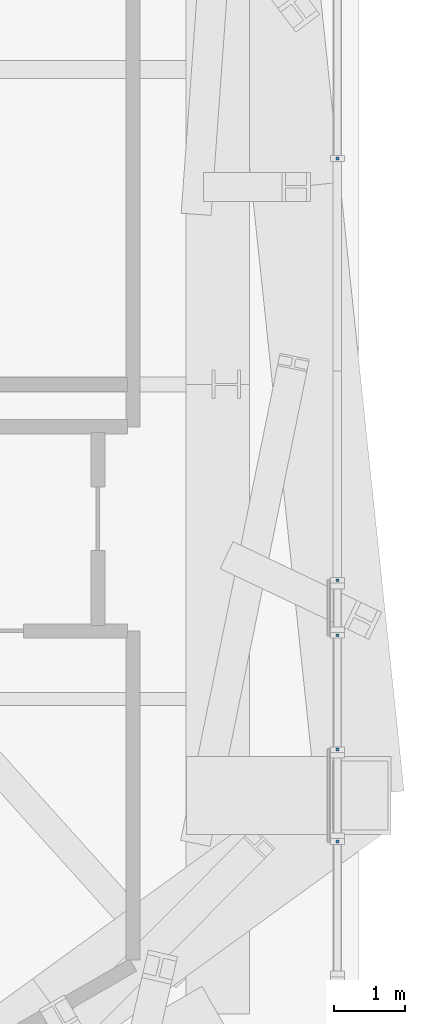
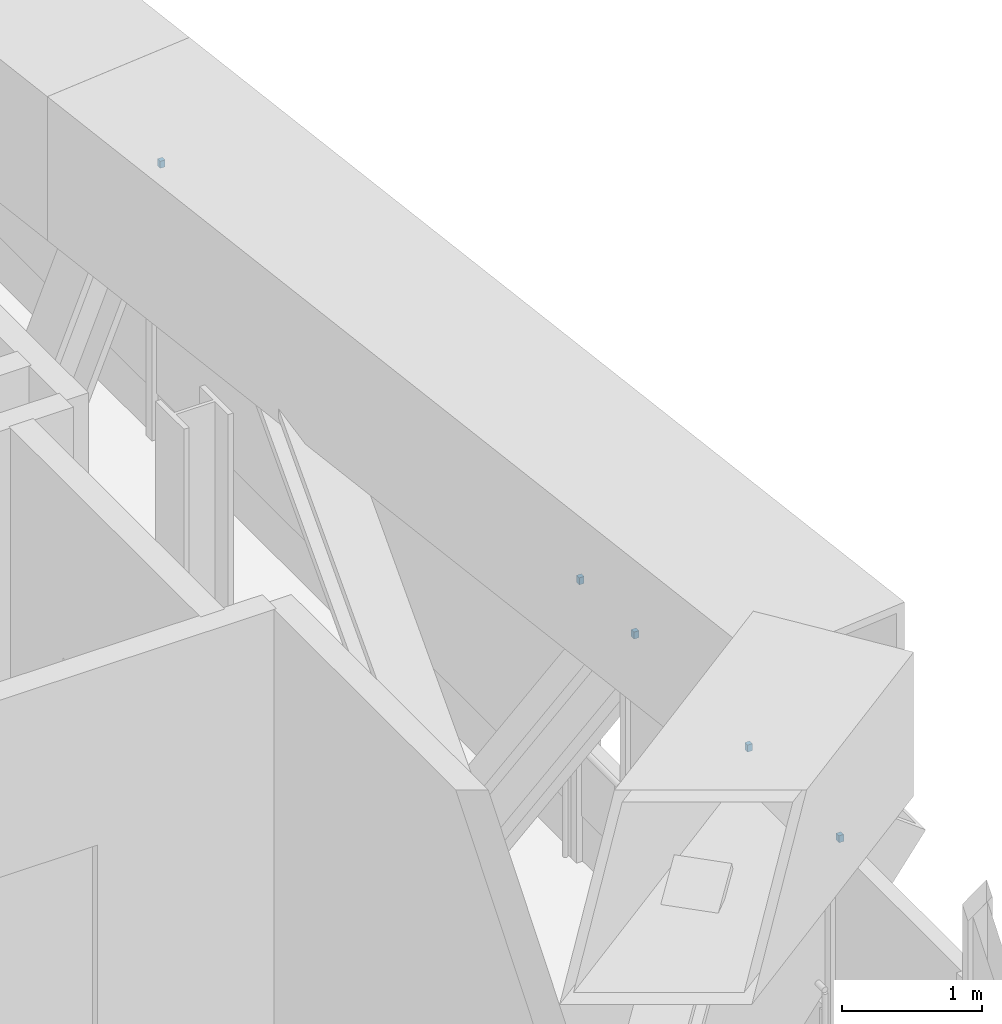
# One storey, part 19 of 23: 5 discrete accessories.
"""IFC4 building model written with IfcOpenShell, lengths in metres."""

import ifcopenshell
import ifcopenshell.guid

model = None  # the IFC model being written
_history = None  # IfcOwnerHistory: only IFC2X3 demands one
_inside = {}  # id of a spatial element -> (the spatial element, [elements in it])
_under = {}  # id of a project, library or spatial element -> (it, [spatial elements below it])
_declared = {}  # id of a project -> (the project, [libraries it declares])
_typed = {}  # id of a type object -> (the type object, [elements of that type])
_made_of = {}  # id of a material, layer set ... -> (it, [elements and type objects made of it])


def new_model(schema):
    """Start an empty IFC model of exactly this schema.

    Asked for "IFC4X3", IfcOpenShell would pick the latest addendum, in which some entities
    have other attributes; the version numbers below select the first issue.
    IFC2X3 requires an IfcOwnerHistory on every rooted entity: one is made here for all.
    """
    global model, _history
    if schema == "IFC4X3":
        model = ifcopenshell.file(schema_version=(4, 3, 0, 0))
    else:
        model = ifcopenshell.file(schema=schema)
    _inside.clear()
    _under.clear()
    _declared.clear()
    _typed.clear()
    _made_of.clear()
    _history = None
    if model.schema == "IFC2X3":
        org = make("IfcOrganization", Name="unknown")
        user = make(
            "IfcPersonAndOrganization",
            ThePerson=make("IfcPerson", FamilyName="unknown"),
            TheOrganization=org,
        )
        app = make(
            "IfcApplication",
            ApplicationDeveloper=org,
            Version="unknown",
            ApplicationFullName="unknown",
            ApplicationIdentifier="unknown",
        )
        _history = make(
            "IfcOwnerHistory",
            OwningUser=user,
            OwningApplication=app,
            ChangeAction="ADDED",
            CreationDate=0,
        )
    return model


def make(cls, **values):
    """One entity of the class cls with the attributes given. An attribute that is None is left unset."""
    return model.create_entity(
        cls, **{name: value for name, value in values.items() if value is not None}
    )


def rooted(cls, **values):
    """An entity with a GlobalId (a new one), such as an element, a storey or a relation."""
    return make(cls, GlobalId=ifcopenshell.guid.new(), OwnerHistory=_history, **values)


def si_unit(unit_type, name, prefix=None):
    """IfcSIUnit, for example si_unit("LENGTHUNIT", "METRE", prefix="MILLI")."""
    return make("IfcSIUnit", UnitType=unit_type, Prefix=prefix, Name=name)


def assignment(units):
    """IfcUnitAssignment: the units of a project."""
    return None if units is None else make("IfcUnitAssignment", Units=units)


def point(xyz):
    """IfcCartesianPoint."""
    return None if xyz is None else make("IfcCartesianPoint", Coordinates=xyz)


def direction(xyz):
    """IfcDirection."""
    return None if xyz is None else make("IfcDirection", DirectionRatios=xyz)


def frame(location, z_axis=None, x_axis=None):
    """IfcAxis2Placement3D, a coordinate frame: its origin and axes. An axis left out is left unset."""
    return make(
        "IfcAxis2Placement3D",
        Location=point(location),
        Axis=direction(z_axis),
        RefDirection=direction(x_axis),
    )


def frame_2d(location, x_axis=None):
    """IfcAxis2Placement2D, a coordinate frame in the plane: its origin and x axis."""
    return make(
        "IfcAxis2Placement2D", Location=point(location), RefDirection=direction(x_axis)
    )


def origin():
    """The frame at (0, 0, 0) with its axes left unset."""
    return frame((0.0, 0.0, 0.0))


def origin_2d():
    """The frame at (0, 0) in the plane with its x axis left unset."""
    return frame_2d((0.0, 0.0))


def place(relative_to, where):
    """IfcLocalPlacement: puts the frame where relative to a parent placement (None: the world)."""
    return make(
        "IfcLocalPlacement", PlacementRelTo=relative_to, RelativePlacement=where
    )


def context(
    kind, dimensions, precision=None, world=None, true_north=None, identifier=None
):
    """IfcGeometricRepresentationContext, for example the 3D "Model" context."""
    return make(
        "IfcGeometricRepresentationContext",
        ContextIdentifier=identifier,
        ContextType=kind,
        CoordinateSpaceDimension=dimensions,
        Precision=precision,
        WorldCoordinateSystem=world,
        TrueNorth=true_north,
    )


def subcontext(parent, identifier, kind, view, scale=None):
    """IfcGeometricRepresentationSubContext, for example "Body" below "Model"."""
    return make(
        "IfcGeometricRepresentationSubContext",
        ContextIdentifier=identifier,
        ContextType=kind,
        ParentContext=parent,
        TargetScale=scale,
        TargetView=view,
    )


def project(units=None, contexts=None):
    """IfcProject with its units and contexts."""
    return rooted(
        "IfcProject",
        Name="project",
        RepresentationContexts=contexts,
        UnitsInContext=assignment(units),
    )


def spatial(cls, under=None, at=None, **own):
    """A site, building, storey or space (cls), placed at a placement, below another one or the project."""
    s = rooted(cls, ObjectPlacement=at, **own)
    if under is not None:
        _under.setdefault(under.id(), (under, []))[1].append(s)
    return s


def profile(cls, at=None, kind="AREA", **sizes):
    """A parametric profile (cls). Its sizes go by their IFC names, for example OverallWidth=200.0."""
    return make(cls, ProfileType=kind, Position=at, **sizes)


def rectangle(**sizes):
    """IfcRectangleProfileDef."""
    return profile("IfcRectangleProfileDef", **sizes)


def extrude(swept, where, along, depth):
    """IfcExtrudedAreaSolid: the profile swept, set in the frame where, extruded along a direction by depth."""
    return make(
        "IfcExtrudedAreaSolid",
        SweptArea=swept,
        Position=where,
        ExtrudedDirection=direction(along),
        Depth=depth,
    )


def shape(context_of_items, identifier, shape_type, items):
    """IfcShapeRepresentation: the items that make up one representation, for example the "Body"."""
    return make(
        "IfcShapeRepresentation",
        ContextOfItems=context_of_items,
        RepresentationIdentifier=identifier,
        RepresentationType=shape_type,
        Items=items,
    )


def source(mapping_origin, context_of_items, identifier, shape_type, items):
    """IfcRepresentationMap: a shape defined once, which mapped items show again and again."""
    return make(
        "IfcRepresentationMap",
        MappingOrigin=mapping_origin,
        MappedRepresentation=shape(context_of_items, identifier, shape_type, items),
    )


def transform(
    local_origin,
    x_axis=None,
    y_axis=None,
    z_axis=None,
    scale=None,
    scale2=None,
    scale3=None,
    uniform=True,
):
    """IfcCartesianTransformationOperator3D, or its non-uniform kind. x_axis, y_axis, z_axis: its Axis1, 2, 3."""
    if uniform:
        return make(
            "IfcCartesianTransformationOperator3D",
            Axis1=direction(x_axis),
            Axis2=direction(y_axis),
            LocalOrigin=point(local_origin),
            Scale=scale,
            Axis3=direction(z_axis),
        )
    return make(
        "IfcCartesianTransformationOperator3DnonUniform",
        Axis1=direction(x_axis),
        Axis2=direction(y_axis),
        LocalOrigin=point(local_origin),
        Scale=scale,
        Axis3=direction(z_axis),
        Scale2=scale2,
        Scale3=scale3,
    )


def mapped(mapping_source, mapping_target):
    """IfcMappedItem: shows the shape of a source again, moved by a transform."""
    return make(
        "IfcMappedItem", MappingSource=mapping_source, MappingTarget=mapping_target
    )


def material(Name=None, Category=None):
    """IfcMaterial."""
    return make("IfcMaterial", Name=Name, Category=Category)


def made_of(thing, what):
    """Note that an element or type object is made of a material, layer set ...; save() writes the relation."""
    if what is not None:
        _made_of.setdefault(what.id(), (what, []))[1].append(thing)
    return thing


def element(
    cls,
    number,
    at=None,
    inside=None,
    cuts=None,
    type_object=None,
    material=None,
    context=None,
    identifier="Body",
    shape_type=None,
    held_by="IfcProductDefinitionShape",
    body=None,
    shapes=None,
    **own,
):
    """One element of the class cls, such as IfcWall. Its Tag is "e" and its number.

    at: its placement. inside: the storey or other place that contains it. cuts: it is an
    opening in that element (IfcRelVoidsElement). A single representation is given by context,
    identifier, shape_type and body (its items); several are given by shapes. held_by: the class
    of the entity that holds the representations. save() writes the other relations.
    """
    e = rooted(cls, Tag="e%d" % number, ObjectPlacement=at, **own)
    if body is not None:
        shapes = [shape(context, identifier, shape_type, body)]
    if shapes is not None:
        e.Representation = make(held_by, Representations=shapes)
    if inside is not None:
        _inside.setdefault(inside.id(), (inside, []))[1].append(e)
    if cuts is not None:
        rooted(
            "IfcRelVoidsElement", RelatingBuildingElement=cuts, RelatedOpeningElement=e
        )
    if type_object is not None:
        _typed.setdefault(type_object.id(), (type_object, []))[1].append(e)
    return made_of(e, material)


def aggregate(whole, parts):
    """IfcRelAggregates: a whole, such as a stair, and the parts it consists of."""
    return rooted("IfcRelAggregates", RelatingObject=whole, RelatedObjects=parts)


def save(model, path):
    """Write the relations noted so far, then the file.

    IfcRelAggregates (storeys below a building ...), IfcRelContainedInSpatialStructure (elements
    in a storey), IfcRelDefinesByType, IfcRelAssociatesMaterial and IfcRelDeclares: one each for
    every whole, place, type object, material and project.
    """
    for whole, parts in _under.values():
        aggregate(whole, parts)
    for where, things in _inside.values():
        rooted(
            "IfcRelContainedInSpatialStructure",
            RelatedElements=things,
            RelatingStructure=where,
        )
    for kind, things in _typed.values():
        rooted("IfcRelDefinesByType", RelatedObjects=things, RelatingType=kind)
    for what, things in _made_of.values():
        rooted("IfcRelAssociatesMaterial", RelatedObjects=things, RelatingMaterial=what)
    for by, libraries in _declared.values():
        rooted("IfcRelDeclares", RelatingContext=by, RelatedDefinitions=libraries)
    model.write(path)


model = new_model("IFC4")

# Units and contexts
model_context = context("Model", 3, precision=1e-05, world=origin(), true_north=direction((0.0, 1.0)))
body_context = subcontext(model_context, "Body", "Model", "MODEL_VIEW")
ifc_project = project(units=[si_unit("LENGTHUNIT", "METRE"), si_unit("AREAUNIT", "SQUARE_METRE"), si_unit("VOLUMEUNIT", "CUBIC_METRE"), si_unit("PLANEANGLEUNIT", "RADIAN"), si_unit("MASSUNIT", "GRAM", prefix="KILO")], contexts=[model_context])

# Site, building, storey
site_placement = place(None, origin())
site = spatial("IfcSite", under=ifc_project, at=site_placement, CompositionType="ELEMENT")
building_placement = place(site_placement, origin())
building = spatial("IfcBuilding", under=site, at=building_placement, Name="Triune Harvest Tower", CompositionType="ELEMENT")
storey_placement = place(building_placement, frame((0.0, 0.0, 54.699951171875)))
storey = spatial("IfcBuildingStorey", under=building, at=storey_placement, Name="L12", CompositionType="ELEMENT", Elevation=54.699951171875)

# Discrete accessories
ifc_material = material(Name="Steel ASTM A992 Gr 50", Category="steel")
shared_shape = source(origin(), body_context, "Body", "SweptSolid", [
    extrude(rectangle(XDim=0.0400390625, YDim=0.0400390625, at=origin_2d()), origin(), (0.0, 0.0, 1.0), 0.06005859375),
])
for number, where, z_axis, x_axis, name in (
    (1, (23.371337890625, -24.28955078125, 2.330078125), (0.0, 0.0, 1.0), (0.0, 1.0, 0.0), "Mullion end bracket B1-F1 L12.101 upper"),
    (2, (23.371337890625, -22.989501953125, 2.330078125), (0.0, 0.0, 1.0), (0.0, 1.0, 0.0), "Mullion end bracket B1-F1 L12.301 upper"),
    (3, (23.371337890625, -21.37060546875, 2.330078125), (0.0, 0.0, 1.0), (0.0, 1.0, 0.0), "Mullion end bracket B1-F1 L12.301 upper"),
    (4, (23.371337890625, -20.593017578125, 2.330078125), (0.0, 0.0, 1.0), (0.0, 1.0, 0.0), "Mullion end bracket B1-F1 L12.501 upper"),
    (5, (23.371337890625, -14.62353515625, 2.330078125), (0.0, 0.0, 1.0), (0.0, 1.0, 0.0), "Mullion end bracket B1-F1 L12.501 upper"),
):
    element("IfcDiscreteAccessory", number, at=place(storey_placement, frame(where, z_axis=z_axis, x_axis=x_axis)), inside=storey, material=ifc_material, Name=name, ObjectType="BRACKET", PredefinedType="USERDEFINED", context=body_context, shape_type="MappedRepresentation", body=[
        mapped(shared_shape, transform((0.0, 0.0, 0.0), scale=1.0)),
    ])

save(model, "model.ifc")
